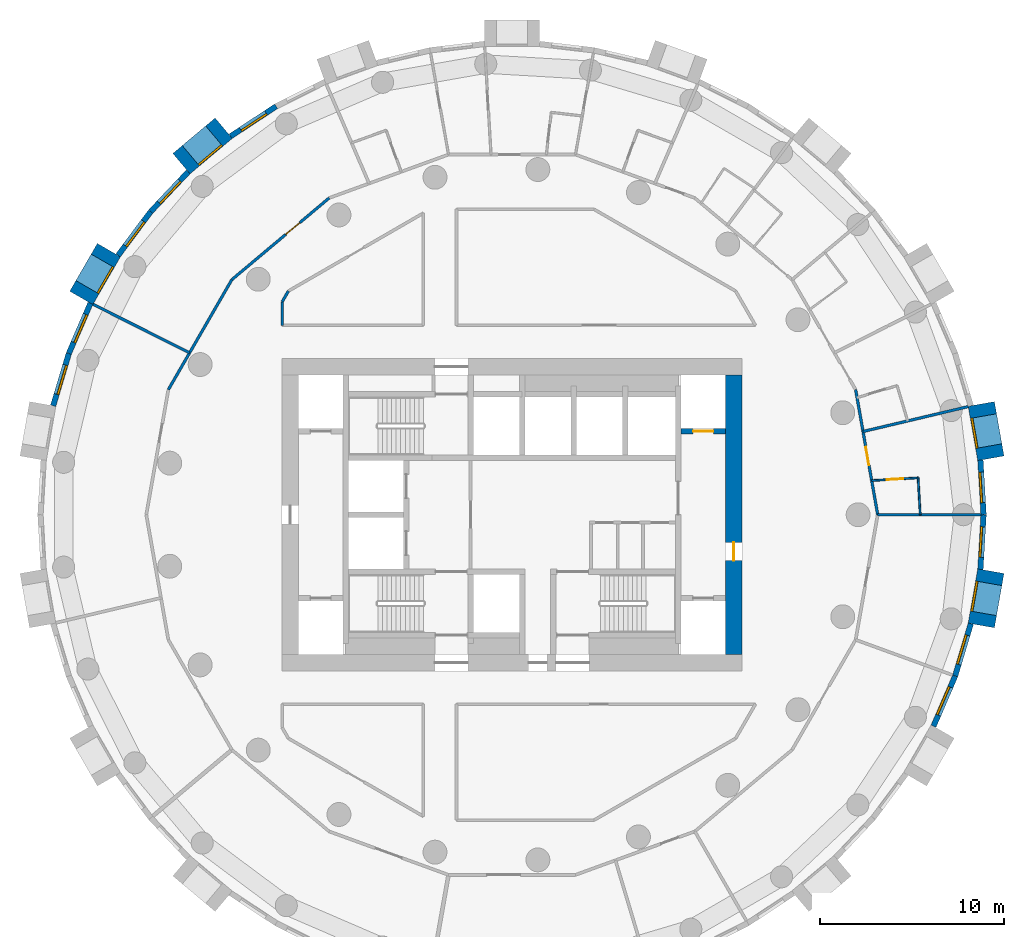
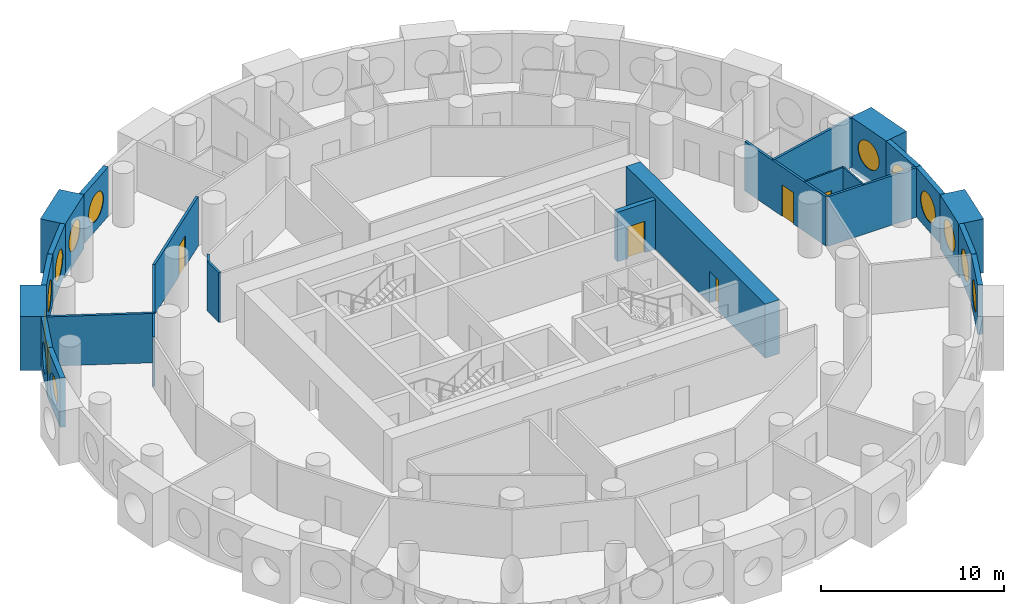
# One storey, part 5 of 9: 25 walls, 13 windows, 5 doors, 18 openings.
"""IFC4 building model written with IfcOpenShell, lengths in metres."""

from ifc_helpers import new_model, si_unit, direction, frame, frame_2d, origin, origin_2d, place, context, subcontext, project, spatial, rectangle, circle, extrude, material, layer, layer_set, type_object, element, fill, save


model = new_model("IFC4")

# Units and contexts
model_context = context("Model", 3, precision=1e-05, world=origin(), true_north=direction((0.0, 1.0)))
body_context = subcontext(model_context, "Body", "Model", "MODEL_VIEW")
ifc_project = project(units=[si_unit("LENGTHUNIT", "METRE"), si_unit("AREAUNIT", "SQUARE_METRE"), si_unit("VOLUMEUNIT", "CUBIC_METRE"), si_unit("PLANEANGLEUNIT", "RADIAN"), si_unit("MASSUNIT", "GRAM", prefix="KILO")], contexts=[model_context])

# Site, building, storey
site_placement = place(None, origin())
site = spatial("IfcSite", under=ifc_project, at=site_placement, CompositionType="ELEMENT")
building_placement = place(site_placement, origin())
building = spatial("IfcBuilding", under=site, at=building_placement, Name="Tracery Tower", CompositionType="ELEMENT")
storey_placement = place(building_placement, frame((0.0, 0.0, 165.60009765625)))
storey = spatial("IfcBuildingStorey", under=building, at=storey_placement, Name="L42", CompositionType="ELEMENT", Elevation=165.60009765625)

# Wall, opening, door
ifc_material_1 = material(Name="Concrete C50/60", Category="concrete")
ifc_layer_1 = layer(ifc_material_1, 0.89990234375)
ifc_layer_set_1 = layer_set([ifc_layer_1], Name="Core wall 900 C50")
wall_type_1 = type_object("IfcWallType", Name="Core wall 900 C50", PredefinedType="SOLIDWALL", material=ifc_layer_set_1)
wall_1_placement = place(storey_placement, frame((12.050048828125, -7.60009765625, 0.0), z_axis=(0.0, 0.0, 1.0), x_axis=(0.0, 1.0, 0.0)))
wall_1 = element("IfcWall", 1, at=wall_1_placement, inside=storey, type_object=wall_type_1, Name="L42 outer E", PredefinedType="SOLIDWALL", context=body_context, shape_type="SweptSolid", body=[
    extrude(rectangle(XDim=15.2001953125, YDim=0.89990234375, at=frame_2d((7.60009765625, 0.0))), origin(), (0.0, 0.0, 1.0), 3.599853515625),
])
opening_1_placement = place(wall_1_placement, frame((5.10009765625, 0.0, 0.0)))
opening_1 = element("IfcOpeningElement", 2, at=opening_1_placement, cuts=wall_1, Name="Opening KD18", PredefinedType="OPENING", context=body_context, shape_type="SweptSolid", body=[
    extrude(rectangle(XDim=1.0, YDim=2.10009765625, at=frame_2d((0.5, 1.050048828125))), frame((0.0, 0.449951171875, 0.0), z_axis=(0.0, -1.0, 0.0), x_axis=(1.0, 0.0, 0.0)), (0.0, 0.0, 1.0), 0.89990234375),
])
ifc_material_2 = material(Name="Steel fire door", Category="steel")
door_type_1 = type_object("IfcDoorType", Name="Core exit door 1000", OperationType="NOTDEFINED", PredefinedType="DOOR", material=ifc_material_2)
door_1_placement = place(opening_1_placement, origin())
door_1 = element("IfcDoor", 3, at=door_1_placement, inside=storey, type_object=door_type_1, Name="Core exit door", OperationType="DOUBLE_DOOR_SINGLE_SWING", OverallHeight=2.10009765625, OverallWidth=1.0, PredefinedType="DOOR", context=body_context, shape_type="SweptSolid", body=[
    extrude(rectangle(XDim=1.0, YDim=2.10009765625, at=frame_2d((0.5, 1.050048828125))), frame((0.0, 0.02490234375, 0.0), z_axis=(0.0, -1.0, 0.0), x_axis=(1.0, 0.0, 0.0)), (0.0, 0.0, 1.0), 0.050048828125),
])
fill(opening_1, door_1)

# Wall, opening, window
ifc_material_3 = material(Name="Precast concrete C50/60", Category="concrete")
ifc_layer_2 = layer(ifc_material_3, 1.449951171875)
ifc_layer_set_2 = layer_set([ifc_layer_2], Name="Deep-set bay unit 3000 x 3600, slab edge 300")
wall_type_2 = type_object("IfcWallType", Name="Deep-set bay unit 3000 x 3600, slab edge 300", PredefinedType="ELEMENTEDWALL", material=ifc_layer_set_2)
wall_2_placement = place(storey_placement, frame((26.041748046875, 3.06884765625, -0.300048828125), z_axis=(0.0, 0.0, 1.0), x_axis=(-0.173669267716, 0.984804034035, 0.0)))
wall_2 = element("IfcWall", 4, at=wall_2_placement, inside=storey, type_object=wall_type_2, Name="Deep-set bay unit 2 at L42", PredefinedType="ELEMENTEDWALL", context=body_context, shape_type="SweptSolid", body=[
    extrude(rectangle(XDim=3.0, YDim=1.449951171875, at=frame_2d((1.5, 0.0))), origin(), (0.0, 0.0, 1.0), 3.599853515625),
])
opening_2_placement = place(wall_2_placement, frame((1.5, 0.0, 1.85009765625)))
opening_2 = element("IfcOpeningElement", 5, at=opening_2_placement, cuts=wall_2, Name="Opening WN1", PredefinedType="OPENING", context=body_context, shape_type="SweptSolid", body=[
    extrude(circle(Radius=0.9000244140625, at=origin_2d()), frame((0.0, 0.73486328125, 0.0), z_axis=(0.0, -1.0, 0.0), x_axis=(1.0, 0.0, 0.0)), (0.0, 0.0, 1.0), 1.469970703125),
])
ifc_material_4 = material(Name="Aluminium frame with tinted double glazing", Category="aluminium")
window_type = type_object("IfcWindowType", Name="Round window 1800", PartitioningType="SINGLE_PANEL", PredefinedType="WINDOW", material=ifc_material_4)
window_1_placement = place(opening_2_placement, origin())
window_1 = element("IfcWindow", 6, at=window_1_placement, inside=storey, type_object=window_type, Name="Round window 2 at L42", OverallHeight=1.800048828125, OverallWidth=1.800048828125, PartitioningType="SINGLE_PANEL", PredefinedType="WINDOW", context=body_context, shape_type="SweptSolid", body=[
    extrude(circle(Radius=0.9000244140625, at=origin_2d()), frame((0.0, 0.69482421875, 0.0), z_axis=(0.0, -1.0, 0.0), x_axis=(1.0, 0.0, 0.0)), (0.0, 0.0, 1.0), 0.10009765625),
])
fill(opening_2, window_1)

wall_3_placement = place(storey_placement, frame((-15.678466796875, 21.0185546875, -0.300048828125), z_axis=(0.0, 0.0, 1.0), x_axis=(-0.766022196139, -0.642814121673, 0.0)))
wall_3 = element("IfcWall", 7, at=wall_3_placement, inside=storey, type_object=wall_type_2, Name="Deep-set bay unit 20 at L42", PredefinedType="ELEMENTEDWALL", context=body_context, shape_type="SweptSolid", body=[
    extrude(rectangle(XDim=3.0, YDim=1.449951171875, at=frame_2d((1.5, 0.0))), origin(), (0.0, 0.0, 1.0), 3.599853515625),
])
opening_3_placement = place(wall_3_placement, frame((1.5, 0.0, 1.85009765625)))
opening_3 = element("IfcOpeningElement", 8, at=opening_3_placement, cuts=wall_3, Name="Opening WN1", PredefinedType="OPENING", context=body_context, shape_type="SweptSolid", body=[
    extrude(circle(Radius=0.9000244140625, at=origin_2d()), frame((0.0, 0.73486328125, 0.0), z_axis=(0.0, -1.0, 0.0), x_axis=(1.0, 0.0, 0.0)), (0.0, 0.0, 1.0), 1.469970703125),
])
window_2_placement = place(opening_3_placement, origin())
window_2 = element("IfcWindow", 9, at=window_2_placement, inside=storey, type_object=window_type, Name="Round window 20 at L42", OverallHeight=1.800048828125, OverallWidth=1.800048828125, PartitioningType="SINGLE_PANEL", PredefinedType="WINDOW", context=body_context, shape_type="SweptSolid", body=[
    extrude(circle(Radius=0.9000244140625, at=origin_2d()), frame((0.0, 0.69482421875, 0.0), z_axis=(0.0, -1.0, 0.0), x_axis=(1.0, 0.0, 0.0)), (0.0, 0.0, 1.0), 0.10009765625),
])
fill(opening_3, window_2)

wall_4_placement = place(storey_placement, frame((-21.921630859375, 14.388671875, -0.300048828125), z_axis=(0.0, 0.0, 1.0), x_axis=(-0.499990139034, -0.866031096941, 0.0)))
wall_4 = element("IfcWall", 10, at=wall_4_placement, inside=storey, type_object=wall_type_2, Name="Deep-set bay unit 23 at L42", PredefinedType="ELEMENTEDWALL", context=body_context, shape_type="SweptSolid", body=[
    extrude(rectangle(XDim=3.0, YDim=1.449951171875, at=frame_2d((1.5, 0.0))), origin(), (0.0, 0.0, 1.0), 3.599853515625),
])
opening_4_placement = place(wall_4_placement, frame((1.5, 0.0, 1.85009765625)))
opening_4 = element("IfcOpeningElement", 11, at=opening_4_placement, cuts=wall_4, Name="Opening WN1", PredefinedType="OPENING", context=body_context, shape_type="SweptSolid", body=[
    extrude(circle(Radius=0.9000244140625, at=origin_2d()), frame((0.0, 0.73486328125, 0.0), z_axis=(0.0, -1.0, 0.0), x_axis=(1.0, 0.0, 0.0)), (0.0, 0.0, 1.0), 1.469970703125),
])
window_3_placement = place(opening_4_placement, origin())
window_3 = element("IfcWindow", 12, at=window_3_placement, inside=storey, type_object=window_type, Name="Round window 23 at L42", OverallHeight=1.800048828125, OverallWidth=1.800048828125, PartitioningType="SINGLE_PANEL", PredefinedType="WINDOW", context=body_context, shape_type="SweptSolid", body=[
    extrude(circle(Radius=0.9000244140625, at=origin_2d()), frame((0.0, 0.69482421875, 0.0), z_axis=(0.0, -1.0, 0.0), x_axis=(1.0, 0.0, 0.0)), (0.0, 0.0, 1.0), 0.10009765625),
])
fill(opening_4, window_3)

wall_5_placement = place(storey_placement, frame((25.520751953125, -6.023193359375, -0.300048828125), z_axis=(0.0, 0.0, 1.0), x_axis=(0.173669267716, 0.984804034035, 0.0)))
wall_5 = element("IfcWall", 13, at=wall_5_placement, inside=storey, type_object=wall_type_2, Name="Deep-set bay unit 53 at L42", PredefinedType="ELEMENTEDWALL", context=body_context, shape_type="SweptSolid", body=[
    extrude(rectangle(XDim=3.0, YDim=1.449951171875, at=frame_2d((1.5, 0.0))), origin(), (0.0, 0.0, 1.0), 3.599853515625),
])
opening_5_placement = place(wall_5_placement, frame((1.5, 0.0, 1.85009765625)))
opening_5 = element("IfcOpeningElement", 14, at=opening_5_placement, cuts=wall_5, Name="Opening WN1", PredefinedType="OPENING", context=body_context, shape_type="SweptSolid", body=[
    extrude(circle(Radius=0.9000244140625, at=origin_2d()), frame((0.0, 0.73486328125, 0.0), z_axis=(0.0, -1.0, 0.0), x_axis=(1.0, 0.0, 0.0)), (0.0, 0.0, 1.0), 1.469970703125),
])
window_4_placement = place(opening_5_placement, origin())
window_4 = element("IfcWindow", 15, at=window_4_placement, inside=storey, type_object=window_type, Name="Round window 53 at L42", OverallHeight=1.800048828125, OverallWidth=1.800048828125, PartitioningType="SINGLE_PANEL", PredefinedType="WINDOW", context=body_context, shape_type="SweptSolid", body=[
    extrude(circle(Radius=0.9000244140625, at=origin_2d()), frame((0.0, 0.69482421875, 0.0), z_axis=(0.0, -1.0, 0.0), x_axis=(1.0, 0.0, 0.0)), (0.0, 0.0, 1.0), 0.10009765625),
])
fill(opening_5, window_4)

ifc_material_5 = material(Name="Precast concrete C50/60", Category="concrete")
ifc_layer_3 = layer(ifc_material_5, 0.300048828125)
ifc_layer_set_3 = layer_set([ifc_layer_3], Name="Facade panel 3000 x 3300")
wall_type_3 = type_object("IfcWallType", Name="Facade panel 3000 x 3300", PredefinedType="SOLIDWALL", material=ifc_layer_set_3)
wall_6_placement = place(storey_placement, frame((25.6474609375, 0.0, 0.0), z_axis=(0.0, 0.0, 1.0), x_axis=(-0.058144307138, 0.998308188661, 0.0)))
wall_6 = element("IfcWall", 16, at=wall_6_placement, inside=storey, type_object=wall_type_3, Name="Facade panel 1 at L42", PredefinedType="SOLIDWALL", context=body_context, shape_type="SweptSolid", body=[
    extrude(rectangle(XDim=2.972900390625, YDim=0.300048828125, at=frame_2d((1.486328125, 0.0))), origin(), (0.0, 0.0, 1.0), 3.2998046875),
])
opening_6_placement = place(wall_6_placement, frame((1.486328125, 0.0, 1.5498046875)))
opening_6 = element("IfcOpeningElement", 17, at=opening_6_placement, cuts=wall_6, Name="Opening WN1", PredefinedType="OPENING", context=body_context, shape_type="SweptSolid", body=[
    extrude(circle(Radius=0.9000244140625, at=origin_2d()), frame((0.0, 0.159912109375, 0.0), z_axis=(0.0, -1.0, 0.0), x_axis=(1.0, 0.0, 0.0)), (0.0, 0.0, 1.0), 0.320068359375),
])
window_5_placement = place(opening_6_placement, origin())
window_5 = element("IfcWindow", 18, at=window_5_placement, inside=storey, type_object=window_type, Name="Round window 1 at L42", OverallHeight=1.800048828125, OverallWidth=1.800048828125, PartitioningType="SINGLE_PANEL", PredefinedType="WINDOW", context=body_context, shape_type="SweptSolid", body=[
    extrude(circle(Radius=0.9000244140625, at=origin_2d()), frame((0.0, 0.1201171875, 0.0), z_axis=(0.0, -1.0, 0.0), x_axis=(1.0, 0.0, 0.0)), (0.0, 0.0, 1.0), 0.10009765625),
])
fill(opening_6, window_5)

wall_7_placement = place(storey_placement, frame((-12.82373046875, 22.21142578125, 0.0), z_axis=(0.0, 0.0, 1.0), x_axis=(-0.835470659512, -0.549535055382, 0.0)))
wall_7 = element("IfcWall", 19, at=wall_7_placement, inside=storey, type_object=wall_type_3, Name="Facade panel 19 at L42", PredefinedType="SOLIDWALL", context=body_context, shape_type="SweptSolid", body=[
    extrude(rectangle(XDim=2.97314453125, YDim=0.300048828125, at=frame_2d((1.486572265625, 0.0))), origin(), (0.0, 0.0, 1.0), 3.2998046875),
])
opening_7_placement = place(wall_7_placement, frame((1.486328125, 0.0, 1.5498046875)))
opening_7 = element("IfcOpeningElement", 20, at=opening_7_placement, cuts=wall_7, Name="Opening WN1", PredefinedType="OPENING", context=body_context, shape_type="SweptSolid", body=[
    extrude(circle(Radius=0.9000244140625, at=origin_2d()), frame((0.0, 0.159912109375, 0.0), z_axis=(0.0, -1.0, 0.0), x_axis=(1.0, 0.0, 0.0)), (0.0, 0.0, 1.0), 0.320068359375),
])
window_6_placement = place(opening_7_placement, origin())
window_6 = element("IfcWindow", 21, at=window_6_placement, inside=storey, type_object=window_type, Name="Round window 19 at L42", OverallHeight=1.800048828125, OverallWidth=1.800048828125, PartitioningType="SINGLE_PANEL", PredefinedType="WINDOW", context=body_context, shape_type="SweptSolid", body=[
    extrude(circle(Radius=0.9000244140625, at=origin_2d()), frame((0.0, 0.1201171875, 0.0), z_axis=(0.0, -1.0, 0.0), x_axis=(1.0, 0.0, 0.0)), (0.0, 0.0, 1.0), 0.10009765625),
])
fill(opening_7, window_6)

wall_8_placement = place(storey_placement, frame((-17.60693359375, 18.648193359375, 0.0), z_axis=(0.0, 0.0, 1.0), x_axis=(-0.686235184166, -0.727379730273, 0.0)))
wall_8 = element("IfcWall", 22, at=wall_8_placement, inside=storey, type_object=wall_type_3, Name="Facade panel 21 at L42", PredefinedType="SOLIDWALL", context=body_context, shape_type="SweptSolid", body=[
    extrude(rectangle(XDim=2.972900390625, YDim=0.300048828125, at=frame_2d((1.486328125, 0.0))), origin(), (0.0, 0.0, 1.0), 3.2998046875),
])
opening_8_placement = place(wall_8_placement, frame((1.486328125, 0.0, 1.5498046875)))
opening_8 = element("IfcOpeningElement", 23, at=opening_8_placement, cuts=wall_8, Name="Opening WN1", PredefinedType="OPENING", context=body_context, shape_type="SweptSolid", body=[
    extrude(circle(Radius=0.9000244140625, at=origin_2d()), frame((0.0, 0.159912109375, 0.0), z_axis=(0.0, -1.0, 0.0), x_axis=(1.0, 0.0, 0.0)), (0.0, 0.0, 1.0), 0.320068359375),
])
window_7_placement = place(opening_8_placement, origin())
window_7 = element("IfcWindow", 24, at=window_7_placement, inside=storey, type_object=window_type, Name="Round window 21 at L42", OverallHeight=1.800048828125, OverallWidth=1.800048828125, PartitioningType="SINGLE_PANEL", PredefinedType="WINDOW", context=body_context, shape_type="SweptSolid", body=[
    extrude(circle(Radius=0.9000244140625, at=origin_2d()), frame((0.0, 0.1201171875, 0.0), z_axis=(0.0, -1.0, 0.0), x_axis=(1.0, 0.0, 0.0)), (0.0, 0.0, 1.0), 0.10009765625),
])
fill(opening_8, window_7)

wall_9_placement = place(storey_placement, frame((-19.64697265625, 16.48583984375, 0.0), z_axis=(0.0, 0.0, 1.0), x_axis=(-0.597197580538, -0.80209416517, 0.0)))
wall_9 = element("IfcWall", 25, at=wall_9_placement, inside=storey, type_object=wall_type_3, Name="Facade panel 22 at L42", PredefinedType="SOLIDWALL", context=body_context, shape_type="SweptSolid", body=[
    extrude(rectangle(XDim=2.972900390625, YDim=0.300048828125, at=frame_2d((1.486328125, 0.0))), origin(), (0.0, 0.0, 1.0), 3.2998046875),
])
opening_9_placement = place(wall_9_placement, frame((1.486328125, 0.0, 1.5498046875)))
opening_9 = element("IfcOpeningElement", 26, at=opening_9_placement, cuts=wall_9, Name="Opening WN1", PredefinedType="OPENING", context=body_context, shape_type="SweptSolid", body=[
    extrude(circle(Radius=0.9000244140625, at=origin_2d()), frame((0.0, 0.159912109375, 0.0), z_axis=(0.0, -1.0, 0.0), x_axis=(1.0, 0.0, 0.0)), (0.0, 0.0, 1.0), 0.320068359375),
])
window_8_placement = place(opening_9_placement, origin())
window_8 = element("IfcWindow", 27, at=window_8_placement, inside=storey, type_object=window_type, Name="Round window 22 at L42", OverallHeight=1.800048828125, OverallWidth=1.800048828125, PartitioningType="SINGLE_PANEL", PredefinedType="WINDOW", context=body_context, shape_type="SweptSolid", body=[
    extrude(circle(Radius=0.9000244140625, at=origin_2d()), frame((0.0, 0.1201171875, 0.0), z_axis=(0.0, -1.0, 0.0), x_axis=(1.0, 0.0, 0.0)), (0.0, 0.0, 1.0), 0.10009765625),
])
fill(opening_9, window_8)

wall_10_placement = place(storey_placement, frame((-22.923095703125, 11.501708984375, 0.0), z_axis=(0.0, 0.0, 1.0), x_axis=(-0.396148129016, -0.918186614952, 0.0)))
wall_10 = element("IfcWall", 28, at=wall_10_placement, inside=storey, type_object=wall_type_3, Name="Facade panel 24 at L42", PredefinedType="SOLIDWALL", context=body_context, shape_type="SweptSolid", body=[
    extrude(rectangle(XDim=2.972900390625, YDim=0.300048828125, at=frame_2d((1.486328125, 0.0))), origin(), (0.0, 0.0, 1.0), 3.2998046875),
])
opening_10_placement = place(wall_10_placement, frame((1.486328125, 0.0, 1.5498046875)))
opening_10 = element("IfcOpeningElement", 29, at=opening_10_placement, cuts=wall_10, Name="Opening WN1", PredefinedType="OPENING", context=body_context, shape_type="SweptSolid", body=[
    extrude(circle(Radius=0.9000244140625, at=origin_2d()), frame((0.0, 0.159912109375, 0.0), z_axis=(0.0, -1.0, 0.0), x_axis=(1.0, 0.0, 0.0)), (0.0, 0.0, 1.0), 0.320068359375),
])
window_9_placement = place(opening_10_placement, origin())
window_9 = element("IfcWindow", 30, at=window_9_placement, inside=storey, type_object=window_type, Name="Round window 24 at L42", OverallHeight=1.800048828125, OverallWidth=1.800048828125, PartitioningType="SINGLE_PANEL", PredefinedType="WINDOW", context=body_context, shape_type="SweptSolid", body=[
    extrude(circle(Radius=0.9000244140625, at=origin_2d()), frame((0.0, 0.1201171875, 0.0), z_axis=(0.0, -1.0, 0.0), x_axis=(1.0, 0.0, 0.0)), (0.0, 0.0, 1.0), 0.10009765625),
])
fill(opening_10, window_9)

wall_11_placement = place(storey_placement, frame((-24.100830078125, 8.77197265625, 0.0), z_axis=(0.0, 0.0, 1.0), x_axis=(-0.286782750849, -0.957995643944, 0.0)))
wall_11 = element("IfcWall", 31, at=wall_11_placement, inside=storey, type_object=wall_type_3, Name="Facade panel 25 at L42", PredefinedType="SOLIDWALL", context=body_context, shape_type="SweptSolid", body=[
    extrude(rectangle(XDim=2.97265625, YDim=0.300048828125, at=frame_2d((1.486328125, 0.0))), origin(), (0.0, 0.0, 1.0), 3.2998046875),
])
opening_11_placement = place(wall_11_placement, frame((1.486328125, 0.0, 1.5498046875)))
opening_11 = element("IfcOpeningElement", 32, at=opening_11_placement, cuts=wall_11, Name="Opening WN1", PredefinedType="OPENING", context=body_context, shape_type="SweptSolid", body=[
    extrude(circle(Radius=0.9000244140625, at=origin_2d()), frame((0.0, 0.159912109375, 0.0), z_axis=(0.0, -1.0, 0.0), x_axis=(1.0, 0.0, 0.0)), (0.0, 0.0, 1.0), 0.320068359375),
])
window_10_placement = place(opening_11_placement, origin())
window_10 = element("IfcWindow", 33, at=window_10_placement, inside=storey, type_object=window_type, Name="Round window 25 at L42", OverallHeight=1.800048828125, OverallWidth=1.800048828125, PartitioningType="SINGLE_PANEL", PredefinedType="WINDOW", context=body_context, shape_type="SweptSolid", body=[
    extrude(circle(Radius=0.9000244140625, at=origin_2d()), frame((0.0, 0.1201171875, 0.0), z_axis=(0.0, -1.0, 0.0), x_axis=(1.0, 0.0, 0.0)), (0.0, 0.0, 1.0), 0.10009765625),
])
fill(opening_11, window_10)

wall_12_placement = place(storey_placement, frame((22.923095703125, -11.501708984375, 0.0), z_axis=(0.0, 0.0, 1.0), x_axis=(0.396148129016, 0.918186614952, 0.0)))
wall_12 = element("IfcWall", 34, at=wall_12_placement, inside=storey, type_object=wall_type_3, Name="Facade panel 51 at L42", PredefinedType="SOLIDWALL", context=body_context, shape_type="SweptSolid", body=[
    extrude(rectangle(XDim=2.972900390625, YDim=0.300048828125, at=frame_2d((1.486328125, 0.0))), origin(), (0.0, 0.0, 1.0), 3.2998046875),
])
opening_12_placement = place(wall_12_placement, frame((1.486328125, 0.0, 1.5498046875)))
opening_12 = element("IfcOpeningElement", 35, at=opening_12_placement, cuts=wall_12, Name="Opening WN1", PredefinedType="OPENING", context=body_context, shape_type="SweptSolid", body=[
    extrude(circle(Radius=0.9000244140625, at=origin_2d()), frame((0.0, 0.159912109375, 0.0), z_axis=(0.0, -1.0, 0.0), x_axis=(1.0, 0.0, 0.0)), (0.0, 0.0, 1.0), 0.320068359375),
])
window_11_placement = place(opening_12_placement, origin())
window_11 = element("IfcWindow", 36, at=window_11_placement, inside=storey, type_object=window_type, Name="Round window 51 at L42", OverallHeight=1.800048828125, OverallWidth=1.800048828125, PartitioningType="SINGLE_PANEL", PredefinedType="WINDOW", context=body_context, shape_type="SweptSolid", body=[
    extrude(circle(Radius=0.9000244140625, at=origin_2d()), frame((0.0, 0.1201171875, 0.0), z_axis=(0.0, -1.0, 0.0), x_axis=(1.0, 0.0, 0.0)), (0.0, 0.0, 1.0), 0.10009765625),
])
fill(opening_12, window_11)

wall_13_placement = place(storey_placement, frame((24.100830078125, -8.77197265625, 0.0), z_axis=(0.0, 0.0, 1.0), x_axis=(0.286782750849, 0.957995643944, 0.0)))
wall_13 = element("IfcWall", 37, at=wall_13_placement, inside=storey, type_object=wall_type_3, Name="Facade panel 52 at L42", PredefinedType="SOLIDWALL", context=body_context, shape_type="SweptSolid", body=[
    extrude(rectangle(XDim=2.97265625, YDim=0.300048828125, at=frame_2d((1.486328125, 0.0))), origin(), (0.0, 0.0, 1.0), 3.2998046875),
])
opening_13_placement = place(wall_13_placement, frame((1.486328125, 0.0, 1.5498046875)))
opening_13 = element("IfcOpeningElement", 38, at=opening_13_placement, cuts=wall_13, Name="Opening WN1", PredefinedType="OPENING", context=body_context, shape_type="SweptSolid", body=[
    extrude(circle(Radius=0.9000244140625, at=origin_2d()), frame((0.0, 0.159912109375, 0.0), z_axis=(0.0, -1.0, 0.0), x_axis=(1.0, 0.0, 0.0)), (0.0, 0.0, 1.0), 0.320068359375),
])
window_12_placement = place(opening_13_placement, origin())
window_12 = element("IfcWindow", 39, at=window_12_placement, inside=storey, type_object=window_type, Name="Round window 52 at L42", OverallHeight=1.800048828125, OverallWidth=1.800048828125, PartitioningType="SINGLE_PANEL", PredefinedType="WINDOW", context=body_context, shape_type="SweptSolid", body=[
    extrude(circle(Radius=0.9000244140625, at=origin_2d()), frame((0.0, 0.1201171875, 0.0), z_axis=(0.0, -1.0, 0.0), x_axis=(1.0, 0.0, 0.0)), (0.0, 0.0, 1.0), 0.10009765625),
])
fill(opening_13, window_12)

wall_14_placement = place(storey_placement, frame((25.474609375, -2.9677734375, 0.0), z_axis=(0.0, 0.0, 1.0), x_axis=(0.058144307138, 0.998308188661, 0.0)))
wall_14 = element("IfcWall", 40, at=wall_14_placement, inside=storey, type_object=wall_type_3, Name="Facade panel 54 at L42", PredefinedType="SOLIDWALL", context=body_context, shape_type="SweptSolid", body=[
    extrude(rectangle(XDim=2.972900390625, YDim=0.300048828125, at=frame_2d((1.486328125, 0.0))), origin(), (0.0, 0.0, 1.0), 3.2998046875),
])
opening_14_placement = place(wall_14_placement, frame((1.486328125, 0.0, 1.5498046875)))
opening_14 = element("IfcOpeningElement", 41, at=opening_14_placement, cuts=wall_14, Name="Opening WN1", PredefinedType="OPENING", context=body_context, shape_type="SweptSolid", body=[
    extrude(circle(Radius=0.9000244140625, at=origin_2d()), frame((0.0, 0.159912109375, 0.0), z_axis=(0.0, -1.0, 0.0), x_axis=(1.0, 0.0, 0.0)), (0.0, 0.0, 1.0), 0.320068359375),
])
window_13_placement = place(opening_14_placement, origin())
window_13 = element("IfcWindow", 42, at=window_13_placement, inside=storey, type_object=window_type, Name="Round window 54 at L42", OverallHeight=1.800048828125, OverallWidth=1.800048828125, PartitioningType="SINGLE_PANEL", PredefinedType="WINDOW", context=body_context, shape_type="SweptSolid", body=[
    extrude(circle(Radius=0.9000244140625, at=origin_2d()), frame((0.0, 0.1201171875, 0.0), z_axis=(0.0, -1.0, 0.0), x_axis=(1.0, 0.0, 0.0)), (0.0, 0.0, 1.0), 0.10009765625),
])
fill(opening_14, window_13)

# Wall
ifc_material_6 = material(Name="Plasterboard on steel studs", Category="steel")
ifc_layer_4 = layer(ifc_material_6, 0.10009765625)
ifc_layer_set_4 = layer_set([ifc_layer_4], Name="Partition 100 wet wall")
wall_type_4 = type_object("IfcWallType", Name="Partition 100 wet wall", PredefinedType="PARTITIONING", material=ifc_layer_set_4)
wall_15_placement = place(storey_placement, frame((22.083984375, 2.0048828125, 0.0), z_axis=(0.0, 0.0, 1.0), x_axis=(0.058230299749, -0.998303176491, 0.0)))
element("IfcWall", 43, at=wall_15_placement, inside=storey, type_object=wall_type_4, Name="Wet wall RB4-039", PredefinedType="PARTITIONING", context=body_context, shape_type="SweptSolid", body=[
    extrude(rectangle(XDim=2.00830078125, YDim=0.10009765625, at=frame_2d((1.004150390625, 0.0))), origin(), (0.0, 0.0, 1.0), 3.2998046875),
])

# Wall, opening, door
wall_16_placement = place(storey_placement, frame((19.56005859375, 1.85791015625, 0.0), z_axis=(0.0, 0.0, 1.0), x_axis=(0.998308830473, 0.05813328651, 0.0)))
wall_16 = element("IfcWall", 44, at=wall_16_placement, inside=storey, type_object=wall_type_4, Name="Wet wall RB4-040", PredefinedType="PARTITIONING", context=body_context, shape_type="SweptSolid", body=[
    extrude(rectangle(XDim=2.5283203125, YDim=0.10009765625, at=frame_2d((1.26416015625, 0.0))), origin(), (0.0, 0.0, 1.0), 3.2998046875),
])
opening_15_placement = place(wall_16_placement, frame((0.814208984375, 0.0, 0.0)))
opening_15 = element("IfcOpeningElement", 45, at=opening_15_placement, cuts=wall_16, Name="Opening RB4-05", PredefinedType="OPENING", context=body_context, shape_type="SweptSolid", body=[
    extrude(rectangle(XDim=0.89990234375, YDim=2.0400390625, at=frame_2d((0.449951171875, 1.02001953125))), frame((0.0, 0.050048828125, 0.0), z_axis=(0.0, -1.0, 0.0), x_axis=(1.0, 0.0, 0.0)), (0.0, 0.0, 1.0), 0.10009765625),
])
ifc_material_7 = material(Name="Timber door leaf", Category="wood")
door_type_2 = type_object("IfcDoorType", Name="Door en-suite 900", OperationType="NOTDEFINED", PredefinedType="DOOR", material=ifc_material_7)
door_2_placement = place(opening_15_placement, origin())
door_2 = element("IfcDoor", 46, at=door_2_placement, inside=storey, type_object=door_type_2, Name="En-suite door RB4-05", OperationType="SINGLE_SWING_LEFT", OverallHeight=2.0400390625, OverallWidth=0.89990234375, PredefinedType="DOOR", context=body_context, shape_type="SweptSolid", body=[
    extrude(rectangle(XDim=0.89990234375, YDim=2.0400390625, at=frame_2d((0.449951171875, 1.02001953125))), frame((0.0, 0.02490234375, 0.0), z_axis=(0.0, -1.0, 0.0), x_axis=(1.0, 0.0, 0.0)), (0.0, 0.0, 1.0), 0.050048828125),
])
fill(opening_15, door_2)

# Walls
ifc_material_8 = material(Name="Plasterboard on steel studs", Category="steel")
ifc_layer_5 = layer(ifc_material_8, 0.14990234375)
ifc_layer_set_5 = layer_set([ifc_layer_5], Name="Partition 150 acoustic unit wall")
wall_type_5 = type_object("IfcWallType", Name="Partition 150 acoustic unit wall", PredefinedType="PARTITIONING", material=ifc_layer_set_5)
wall_17_placement = place(storey_placement, frame((19.089599609375, 4.525390625, 0.0), z_axis=(0.0, 0.0, 1.0), x_axis=(0.973093766115, 0.230409466707, 0.0)))
element("IfcWall", 47, at=wall_17_placement, inside=storey, type_object=wall_type_5, Name="Unit wall RB4-041", PredefinedType="PARTITIONING", context=body_context, shape_type="SweptSolid", body=[
    extrude(rectangle(XDim=5.878662109375, YDim=0.14990234375, at=frame_2d((2.939453125, 0.0))), origin(), (0.0, 0.0, 1.0), 3.2998046875),
])
wall_18_placement = place(storey_placement, frame((19.887939453125, 0.0, 0.0), z_axis=(0.0, 0.0, 1.0), x_axis=(1.0, 0.0, 0.0)))
element("IfcWall", 48, at=wall_18_placement, inside=storey, type_object=wall_type_5, Name="Unit wall RB4-042", PredefinedType="PARTITIONING", context=body_context, shape_type="SweptSolid", body=[
    extrude(rectangle(XDim=5.609130859375, YDim=0.14990234375, at=frame_2d((2.8046875, 0.0))), origin(), (0.0, 0.0, 1.0), 3.2998046875),
])
wall_19_placement = place(storey_placement, frame((-22.784912109375, 11.443115234375, 0.0), z_axis=(0.0, 0.0, 1.0), x_axis=(0.893628331628, -0.448807759415, 0.0)))
element("IfcWall", 49, at=wall_19_placement, inside=storey, type_object=wall_type_5, Name="Unit wall RB4-069", PredefinedType="PARTITIONING", context=body_context, shape_type="SweptSolid", body=[
    extrude(rectangle(XDim=5.878173828125, YDim=0.14990234375, at=frame_2d((2.93896484375, 0.0))), origin(), (0.0, 0.0, 1.0), 3.2998046875),
])

# Wall, opening, door
ifc_material_9 = material(Name="Plasterboard on steel studs", Category="steel")
ifc_layer_6 = layer(ifc_material_9, 0.14990234375)
ifc_layer_set_6 = layer_set([ifc_layer_6], Name="Partition 150 corridor wall")
wall_type_6 = type_object("IfcWallType", Name="Partition 150 corridor wall", PredefinedType="PARTITIONING", material=ifc_layer_set_6)
wall_20_placement = place(storey_placement, frame((18.6875, 6.802001953125, 0.0), z_axis=(0.0, 0.0, 1.0), x_axis=(0.173831710537, -0.984775373581, 0.0)))
wall_20 = element("IfcWall", 50, at=wall_20_placement, inside=storey, type_object=wall_type_6, Name="Corridor wall RB4-007", PredefinedType="PARTITIONING", context=body_context, shape_type="SweptSolid", body=[
    extrude(rectangle(XDim=6.9072265625, YDim=0.14990234375, at=frame_2d((3.45361328125, 0.0))), origin(), (0.0, 0.0, 1.0), 3.2998046875),
])
opening_16_placement = place(wall_20_placement, frame((3.1669921875, 0.0, 0.0)))
opening_16 = element("IfcOpeningElement", 51, at=opening_16_placement, cuts=wall_20, Name="Opening RB4-06", PredefinedType="OPENING", context=body_context, shape_type="SweptSolid", body=[
    extrude(rectangle(XDim=1.0, YDim=2.10009765625, at=frame_2d((0.5, 1.050048828125))), frame((0.0, 0.074951171875, 0.0), z_axis=(0.0, -1.0, 0.0), x_axis=(1.0, 0.0, 0.0)), (0.0, 0.0, 1.0), 0.14990234375),
])
ifc_material_10 = material(Name="Timber door leaf", Category="wood")
door_type_3 = type_object("IfcDoorType", Name="Door unit entrance 1000", OperationType="NOTDEFINED", PredefinedType="DOOR", material=ifc_material_10)
door_3_placement = place(opening_16_placement, origin())
door_3 = element("IfcDoor", 52, at=door_3_placement, inside=storey, type_object=door_type_3, Name="Unit entrance door RB4-06", OperationType="SINGLE_SWING_RIGHT", OverallHeight=2.10009765625, OverallWidth=1.0, PredefinedType="DOOR", context=body_context, shape_type="SweptSolid", body=[
    extrude(rectangle(XDim=1.0, YDim=2.10009765625, at=frame_2d((0.5, 1.050048828125))), frame((0.0, 0.02490234375, 0.0), z_axis=(0.0, -1.0, 0.0), x_axis=(1.0, 0.0, 0.0)), (0.0, 0.0, 1.0), 0.050048828125),
])
fill(opening_16, door_3)

wall_21_placement = place(storey_placement, frame((-15.23486328125, 12.78369140625, 0.0), z_axis=(0.0, 0.0, 1.0), x_axis=(0.766064078986, 0.642764207845, 0.0)))
wall_21 = element("IfcWall", 53, at=wall_21_placement, inside=storey, type_object=wall_type_6, Name="Corridor wall RB4-021", PredefinedType="PARTITIONING", context=body_context, shape_type="SweptSolid", body=[
    extrude(rectangle(XDim=6.906494140625, YDim=0.14990234375, at=frame_2d((3.453125, 0.0))), origin(), (0.0, 0.0, 1.0), 3.2998046875),
])
opening_17_placement = place(wall_21_placement, frame((3.82275390625, 0.0, 0.0)))
opening_17 = element("IfcOpeningElement", 54, at=opening_17_placement, cuts=wall_21, Name="Opening RB4-22", PredefinedType="OPENING", context=body_context, shape_type="SweptSolid", body=[
    extrude(rectangle(XDim=1.0, YDim=2.0400390625, at=frame_2d((0.5, 1.02001953125))), frame((0.0, 0.074951171875, 0.0), z_axis=(0.0, -1.0, 0.0), x_axis=(1.0, 0.0, 0.0)), (0.0, 0.0, 1.0), 0.14990234375),
])
ifc_material_11 = material(Name="Timber door leaf", Category="wood")
door_type_4 = type_object("IfcDoorType", Name="Door communal room 1000", OperationType="NOTDEFINED", PredefinedType="DOOR", material=ifc_material_11)
door_4_placement = place(opening_17_placement, origin())
door_4 = element("IfcDoor", 55, at=door_4_placement, inside=storey, type_object=door_type_4, Name="Communal room door RB4-22", OperationType="SINGLE_SWING_LEFT", OverallHeight=2.0400390625, OverallWidth=1.0, PredefinedType="DOOR", context=body_context, shape_type="SweptSolid", body=[
    extrude(rectangle(XDim=1.0, YDim=2.0400390625, at=frame_2d((0.5, 1.02001953125))), frame((0.0, 0.02490234375, 0.0), z_axis=(0.0, -1.0, 0.0), x_axis=(1.0, 0.0, 0.0)), (0.0, 0.0, 1.0), 0.050048828125),
])
fill(opening_17, door_4)

# Walls
wall_22_placement = place(storey_placement, frame((-12.5, 11.576904296875, 0.0), z_axis=(0.0, 0.0, 1.0), x_axis=(0.500024767483, 0.866011103799, 0.0)))
element("IfcWall", 56, at=wall_22_placement, inside=storey, type_object=wall_type_6, Name="Corridor wall RB4-022", PredefinedType="PARTITIONING", context=body_context, shape_type="SweptSolid", body=[
    extrude(rectangle(XDim=0.67578125, YDim=0.14990234375, at=frame_2d((0.337890625, 0.0))), origin(), (0.0, 0.0, 1.0), 3.2998046875),
])
wall_23_placement = place(storey_placement, frame((-12.5, 10.300048828125, 0.0), z_axis=(0.0, 0.0, 1.0), x_axis=(0.0, 1.0, 0.0)))
element("IfcWall", 57, at=wall_23_placement, inside=storey, type_object=wall_type_6, Name="Corridor wall RB4-023", PredefinedType="PARTITIONING", context=body_context, shape_type="SweptSolid", body=[
    extrude(rectangle(XDim=1.27685546875, YDim=0.14990234375, at=frame_2d((0.638427734375, 0.0))), origin(), (0.0, 0.0, 1.0), 3.2998046875),
])
wall_24_placement = place(storey_placement, frame((-18.68798828125, 6.802001953125, 0.0), z_axis=(0.0, 0.0, 1.0), x_axis=(0.499914202267, 0.866074933462, 0.0)))
element("IfcWall", 58, at=wall_24_placement, inside=storey, type_object=wall_type_6, Name="Corridor wall RB4-026", PredefinedType="PARTITIONING", context=body_context, shape_type="SweptSolid", body=[
    extrude(rectangle(XDim=6.906982421875, YDim=0.14990234375, at=frame_2d((3.45361328125, 0.0))), origin(), (0.0, 0.0, 1.0), 3.2998046875),
])

# Wall, opening, door
ifc_material_12 = material(Name="Concrete C50/60", Category="concrete")
ifc_layer_7 = layer(ifc_material_12, 0.300048828125)
ifc_layer_set_7 = layer_set([ifc_layer_7], Name="Shaft wall 300 C50")
wall_type_7 = type_object("IfcWallType", Name="Shaft wall 300 C50", PredefinedType="SOLIDWALL", material=ifc_layer_set_7)
wall_25_placement = place(storey_placement, frame((9.199951171875, 4.550048828125, 0.0), z_axis=(0.0, 0.0, 1.0), x_axis=(1.0, 0.0, 0.0)))
wall_25 = element("IfcWall", 59, at=wall_25_placement, inside=storey, type_object=wall_type_7, Name="L42 MR E +4.55", PredefinedType="SOLIDWALL", context=body_context, shape_type="SweptSolid", body=[
    extrude(rectangle(XDim=2.400146484375, YDim=0.300048828125, at=frame_2d((1.2001953125, 0.0))), origin(), (0.0, 0.0, 1.0), 3.2998046875),
])
opening_18_placement = place(wall_25_placement, frame((0.64990234375, 0.0, 0.0)))
opening_18 = element("IfcOpeningElement", 60, at=opening_18_placement, cuts=wall_25, Name="Opening KD49", PredefinedType="OPENING", context=body_context, shape_type="SweptSolid", body=[
    extrude(rectangle(XDim=1.10009765625, YDim=2.10009765625, at=frame_2d((0.550048828125, 1.050048828125))), frame((0.0, 0.14990234375, 0.0), z_axis=(0.0, -1.0, 0.0), x_axis=(1.0, 0.0, 0.0)), (0.0, 0.0, 1.0), 0.300048828125),
])
ifc_material_13 = material(Name="Steel fire door", Category="steel")
door_type_5 = type_object("IfcDoorType", Name="Landing door 1100", OperationType="NOTDEFINED", PredefinedType="DOOR", material=ifc_material_13)
door_5_placement = place(opening_18_placement, origin())
door_5 = element("IfcDoor", 61, at=door_5_placement, inside=storey, type_object=door_type_5, Name="Landing door MR4", OperationType="SLIDING_TO_LEFT", OverallHeight=2.10009765625, OverallWidth=1.10009765625, PredefinedType="DOOR", context=body_context, shape_type="SweptSolid", body=[
    extrude(rectangle(XDim=1.10009765625, YDim=2.10009765625, at=frame_2d((0.550048828125, 1.050048828125))), frame((0.0, 0.02490234375, 0.0), z_axis=(0.0, -1.0, 0.0), x_axis=(1.0, 0.0, 0.0)), (0.0, 0.0, 1.0), 0.050048828125),
])
fill(opening_18, door_5)

save(model, "model.ifc")
